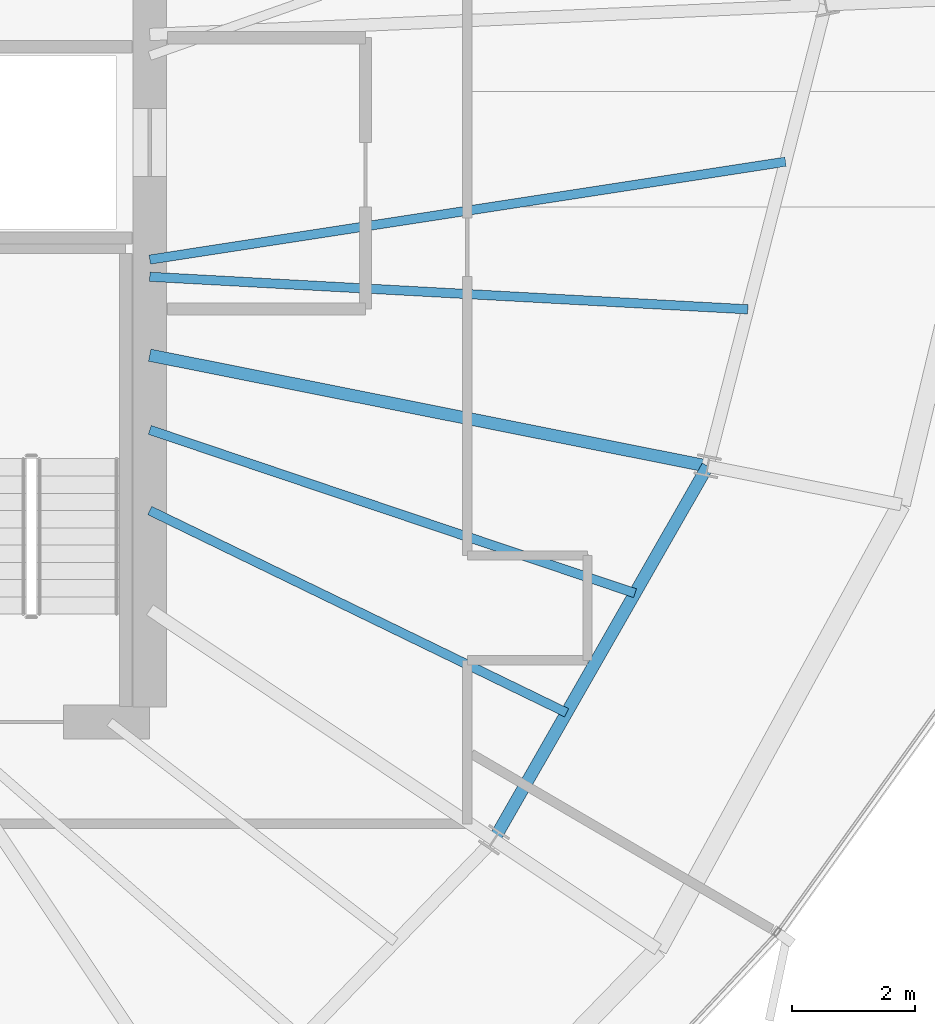
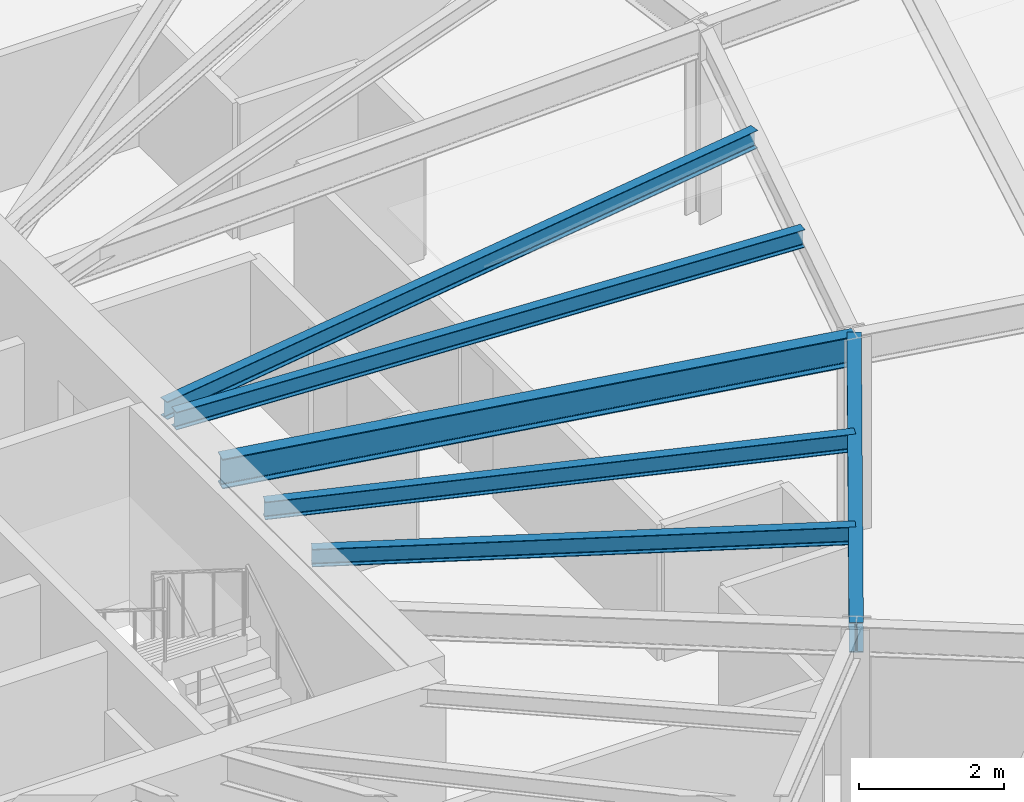
# One storey, part 16 of 36: 6 beams.
"""IFC4 building model written with IfcOpenShell, lengths in metres."""

from ifc_helpers import new_model, si_unit, direction, frame, origin, origin_2d, place, context, subcontext, project, spatial, i_section, extrude, source, transform, mapped, material, material_profile, profile_set, type_object, element, save


model = new_model("IFC4")

# Units and contexts
model_context = context("Model", 3, precision=1e-05, world=origin(), true_north=direction((0.0, 1.0)))
body_context = subcontext(model_context, "Body", "Model", "MODEL_VIEW")
ifc_project = project(units=[si_unit("LENGTHUNIT", "METRE"), si_unit("AREAUNIT", "SQUARE_METRE"), si_unit("VOLUMEUNIT", "CUBIC_METRE"), si_unit("PLANEANGLEUNIT", "RADIAN"), si_unit("MASSUNIT", "GRAM", prefix="KILO"), si_unit("THERMODYNAMICTEMPERATUREUNIT", "KELVIN")], contexts=[model_context])

# Site, building, storey
site_placement = place(None, origin())
site = spatial("IfcSite", under=ifc_project, at=site_placement, CompositionType="ELEMENT")
building_placement = place(site_placement, origin())
building = spatial("IfcBuilding", under=site, at=building_placement, Name="Kethvar Cultural Tower", CompositionType="ELEMENT")
storey_placement = place(building_placement, frame((0.0, 0.0, 176.39990234375)))
storey = spatial("IfcBuildingStorey", under=building, at=storey_placement, Name="L45", CompositionType="ELEMENT", Elevation=176.39990234375)

# Beams
ifc_material = material(Name="Steel S355J2", Category="steel")
ifc_material_profile_1 = material_profile(ifc_material, i_section(OverallWidth=0.199951171875, OverallDepth=0.5, WebThickness=0.01025390625, FlangeThickness=0.01611328125, FilletRadius=0.02099609375, at=origin_2d()), Name="Steel S355J2 — IPE500")
ifc_profile_set_1 = profile_set([ifc_material_profile_1], Name="Steel S355J2 — IPE500")
beam_type_1 = type_object("IfcBeamType", Name="BM-IPE500", PredefinedType="BEAM", material=ifc_profile_set_1)
shared_shape_1 = source(origin(), body_context, "Body", "SweptSolid", [
    extrude(i_section(OverallWidth=0.199951171875, OverallDepth=0.5, WebThickness=0.01025390625, FlangeThickness=0.01611328125, FilletRadius=0.02099609375, at=origin_2d()), origin(), (0.0, 0.0, 1.0), 9.225830078125),
])
beam_1_placement = place(storey_placement, frame((55.60009765625, 26.049560546875, 3.008056640625), z_axis=(0.980786744069, -0.195082963529, 0.0), x_axis=(0.195082963529, 0.980786744069, 0.0)))
element("IfcBeam", 1, at=beam_1_placement, inside=storey, type_object=beam_type_1, Name="L45 Primary Radial Beam RB-16", PredefinedType="BEAM", context=body_context, shape_type="MappedRepresentation", body=[
    mapped(shared_shape_1, transform((0.0, 0.0, 0.0), scale=1.0)),
])
shared_shape_2 = source(origin(), body_context, "Body", "SweptSolid", [
    extrude(i_section(OverallWidth=0.199951171875, OverallDepth=0.5, WebThickness=0.01025390625, FlangeThickness=0.01611328125, FilletRadius=0.02099609375, at=origin_2d()), origin(), (0.0, 0.0, 1.0), 6.98095703125),
])
beam_2_placement = place(storey_placement, frame((61.1826171875, 18.18994140625, 3.008056640625), z_axis=(0.496496686118, 0.868038617041, 0.0), x_axis=(-0.868038617041, 0.496496686118, 0.0)))
element("IfcBeam", 2, at=beam_2_placement, inside=storey, type_object=beam_type_1, Name="L45 Column Ring Tie Beam CR-15", PredefinedType="BEAM", context=body_context, shape_type="MappedRepresentation", body=[
    mapped(shared_shape_2, transform((0.0, 0.0, 0.0), scale=1.0)),
])
ifc_material_profile_2 = material_profile(ifc_material, i_section(OverallWidth=0.14990234375, OverallDepth=0.300048828125, WebThickness=0.007080078125, FlangeThickness=0.0107421875, FilletRadius=0.014892578125, at=origin_2d()), Name="Steel S355J2 — IPE300")
ifc_profile_set_2 = profile_set([ifc_material_profile_2], Name="Steel S355J2 — IPE300")
beam_type_2 = type_object("IfcBeamType", Name="BM-J300", PredefinedType="JOIST", material=ifc_profile_set_2)
shared_shape_3 = source(origin(), body_context, "Body", "SweptSolid", [
    extrude(i_section(OverallWidth=0.14990234375, OverallDepth=0.300048828125, WebThickness=0.007080078125, FlangeThickness=0.0107421875, FilletRadius=0.014892578125, at=origin_2d()), origin(), (0.0, 0.0, 1.0), 7.5146484375),
])
beam_3_placement = place(storey_placement, frame((55.60009765625, 23.530517578125, 3.108154296875), z_axis=(0.899698132091, -0.436512624229, 0.0), x_axis=(0.436512624229, 0.899698132091, 0.0)))
element("IfcBeam", 3, at=beam_3_placement, inside=storey, type_object=beam_type_2, Name="L45 Composite Floor Joist J-15A", PredefinedType="JOIST", context=body_context, shape_type="MappedRepresentation", body=[
    mapped(shared_shape_3, transform((0.0, 0.0, 0.0), scale=1.0)),
])
shared_shape_4 = source(origin(), body_context, "Body", "SweptSolid", [
    extrude(i_section(OverallWidth=0.14990234375, OverallDepth=0.300048828125, WebThickness=0.007080078125, FlangeThickness=0.0107421875, FilletRadius=0.014892578125, at=origin_2d()), origin(), (0.0, 0.0, 1.0), 8.303955078125),
])
beam_4_placement = place(storey_placement, frame((55.60009765625, 24.838134765625, 3.108154296875), z_axis=(0.94776496661, -0.318969540971, 0.0), x_axis=(0.318969540971, 0.94776496661, 0.0)))
element("IfcBeam", 4, at=beam_4_placement, inside=storey, type_object=beam_type_2, Name="L45 Composite Floor Joist J-15B", PredefinedType="JOIST", context=body_context, shape_type="MappedRepresentation", body=[
    mapped(shared_shape_4, transform((0.0, 0.0, 0.0), scale=1.0)),
])
shared_shape_5 = source(origin(), body_context, "Body", "SweptSolid", [
    extrude(i_section(OverallWidth=0.14990234375, OverallDepth=0.300048828125, WebThickness=0.007080078125, FlangeThickness=0.0107421875, FilletRadius=0.014892578125, at=origin_2d()), origin(), (0.0, 0.0, 1.0), 9.714111328125),
])
beam_5_placement = place(storey_placement, frame((55.60009765625, 27.3212890625, 3.108154296875), z_axis=(0.998522658081, -0.054336923906, 0.0), x_axis=(0.054336923906, 0.998522658081, 0.0)))
element("IfcBeam", 5, at=beam_5_placement, inside=storey, type_object=beam_type_2, Name="L45 Composite Floor Joist J-16A", PredefinedType="JOIST", context=body_context, shape_type="MappedRepresentation", body=[
    mapped(shared_shape_5, transform((0.0, 0.0, 0.0), scale=1.0)),
])
shared_shape_6 = source(origin(), body_context, "Body", "SweptSolid", [
    extrude(i_section(OverallWidth=0.14990234375, OverallDepth=0.300048828125, WebThickness=0.007080078125, FlangeThickness=0.0107421875, FilletRadius=0.014892578125, at=origin_2d()), origin(), (0.0, 0.0, 1.0), 10.43408203125),
])
beam_6_placement = place(storey_placement, frame((55.60009765625, 27.60009765625, 3.108154296875), z_axis=(0.988359792691, 0.152134546343, 0.0), x_axis=(-0.152134546343, 0.988359792691, 0.0)))
element("IfcBeam", 6, at=beam_6_placement, inside=storey, type_object=beam_type_2, Name="L45 Composite Floor Joist J-16B", PredefinedType="JOIST", context=body_context, shape_type="MappedRepresentation", body=[
    mapped(shared_shape_6, transform((0.0, 0.0, 0.0), scale=1.0)),
])

save(model, "model.ifc")
